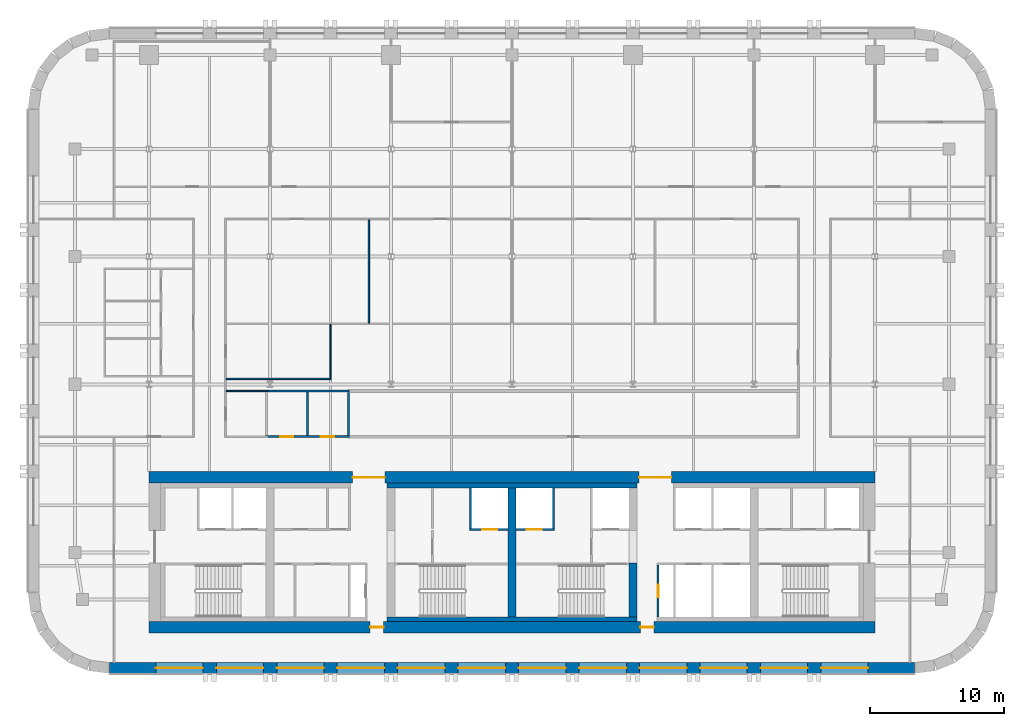
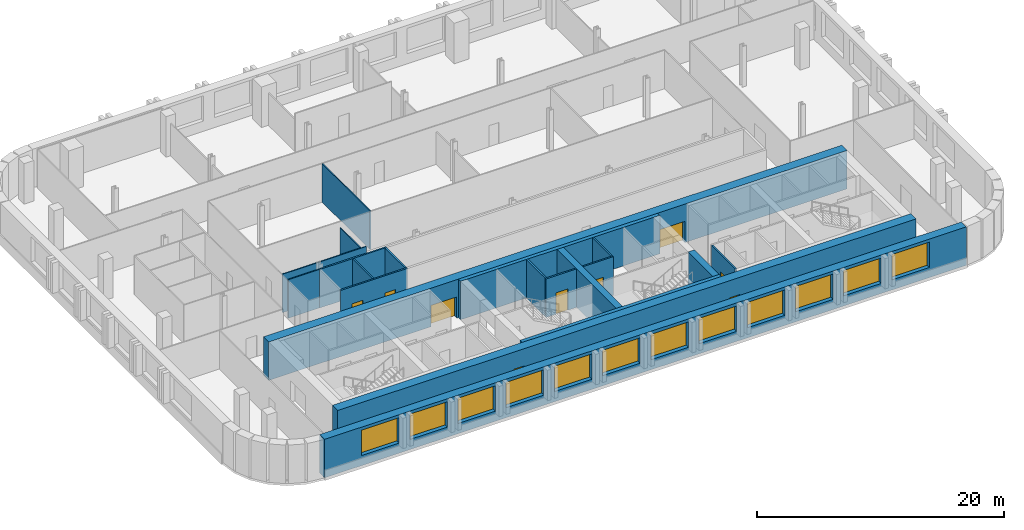
# One storey, part 4 of 9: 20 walls, 12 windows, 9 doors, 21 openings.
"""IFC4 building model written with IfcOpenShell, lengths in metres."""

from ifc_helpers import new_model, si_unit, direction, frame, frame_2d, origin, place, context, subcontext, project, spatial, rectangle, extrude, material, layer, layer_set, type_object, element, fill, save


model = new_model("IFC4")

# Units and contexts
model_context = context("Model", 3, precision=1e-05, world=origin(), true_north=direction((0.0, 1.0)))
body_context = subcontext(model_context, "Body", "Model", "MODEL_VIEW")
ifc_project = project(units=[si_unit("LENGTHUNIT", "METRE"), si_unit("AREAUNIT", "SQUARE_METRE"), si_unit("VOLUMEUNIT", "CUBIC_METRE"), si_unit("PLANEANGLEUNIT", "RADIAN"), si_unit("MASSUNIT", "GRAM", prefix="KILO")], contexts=[model_context])

# Site, building, storey
site_placement = place(None, origin())
site = spatial("IfcSite", under=ifc_project, at=site_placement, CompositionType="ELEMENT")
building_placement = place(site_placement, origin())
building = spatial("IfcBuilding", under=site, at=building_placement, Name="Zellij Exchange Tower", CompositionType="ELEMENT")
storey_placement = place(building_placement, frame((0.0, 0.0, 184.5)))
storey = spatial("IfcBuildingStorey", under=building, at=storey_placement, Name="L42", CompositionType="ELEMENT", Elevation=184.5)

# Walls
ifc_material_1 = material(Name="Concrete C60/75", Category="concrete")
ifc_layer_1 = layer(ifc_material_1, 0.60009765625)
ifc_layer_set_1 = layer_set([ifc_layer_1], Name="Concrete C60/75")
wall_type_1 = type_object("IfcWallType", Name="CORE-CW 600 C60/75", PredefinedType="SHEAR", material=ifc_layer_set_1)
wall_1_placement = place(storey_placement, frame((0.0, -12.800048828125, 0.0), z_axis=(0.0, 0.0, 1.0), x_axis=(0.0, 1.0, 0.0)))
element("IfcWall", 1, at=wall_1_placement, inside=storey, type_object=wall_type_1, Name="Core cross wall x 0 L42", PredefinedType="SHEAR", context=body_context, shape_type="SweptSolid", body=[
    extrude(rectangle(XDim=9.60009765625, YDim=0.60009765625, at=frame_2d((4.800048828125, 0.0))), origin(), (0.0, 0.0, 1.0), 3.800048828125),
])
wall_2_placement = place(storey_placement, frame((9.0, -12.800048828125, 0.0), z_axis=(0.0, 0.0, 1.0), x_axis=(0.0, 1.0, 0.0)))
element("IfcWall", 2, at=wall_2_placement, inside=storey, type_object=wall_type_1, Name="Core cross wall pier x 9 a L42", PredefinedType="SHEAR", context=body_context, shape_type="SweptSolid", body=[
    extrude(rectangle(XDim=4.0, YDim=0.60009765625, at=frame_2d((2.0, 0.0))), origin(), (0.0, 0.0, 1.0), 3.800048828125),
])
ifc_material_2 = material(Name="Concrete C30/37", Category="concrete")
ifc_layer_2 = layer(ifc_material_2, 0.35009765625)
ifc_layer_set_2 = layer_set([ifc_layer_2], Name="Concrete C30/37")
wall_type_2 = type_object("IfcWallType", Name="CORE-LW 350 C30/37", PredefinedType="SHEAR", material=ifc_layer_set_2)
for number, where, z_axis, x_axis, name in (
    (3, (-9.300048828125, -3.02490234375, 0.0), (0.0, 0.0, 1.0), (1.0, 0.0, 0.0), "Core wall lining front.1 L42"),
    (4, (-9.300048828125, -12.97509765625, 0.0), (0.0, 0.0, 1.0), (1.0, 0.0, 0.0), "Core wall lining rear.1 L42"),
):
    element("IfcWall", number, at=place(storey_placement, frame(where, z_axis=z_axis, x_axis=x_axis)), inside=storey, type_object=wall_type_2, Name=name, PredefinedType="SHEAR", context=body_context, shape_type="SweptSolid", body=[
        extrude(rectangle(XDim=18.60009765625, YDim=0.35009765625, at=frame_2d((9.300048828125, 0.0))), origin(), (0.0, 0.0, 1.0), 3.800048828125),
    ])

# Wall, opening, door
ifc_material_3 = material(Name="Gypsum board partition")
ifc_layer_3 = layer(ifc_material_3, 0.14990234375)
ifc_layer_set_3 = layer_set([ifc_layer_3], Name="Gypsum board partition")
wall_type_3 = type_object("IfcWallType", Name="CORE-PW 150 Lift lobby wall", PredefinedType="PARTITIONING", material=ifc_layer_set_3)
wall_3_placement = place(storey_placement, frame((10.875, -12.800048828125, 0.0), z_axis=(0.0, 0.0, 1.0), x_axis=(0.0, 1.0, 0.0)))
wall_3 = element("IfcWall", 5, at=wall_3_placement, inside=storey, type_object=wall_type_3, Name="Lift lobby wall L42", PredefinedType="PARTITIONING", context=body_context, shape_type="SweptSolid", body=[
    extrude(rectangle(XDim=3.85009765625, YDim=0.14990234375, at=frame_2d((1.925048828125, 0.0))), origin(), (0.0, 0.0, 1.0), 3.800048828125),
])
opening_1_placement = place(wall_3_placement, frame((1.47509765625, 0.0, 0.0)))
opening_1 = element("IfcOpeningElement", 6, at=opening_1_placement, cuts=wall_3, Name="Opening CA-23.21", PredefinedType="OPENING", context=body_context, shape_type="SweptSolid", body=[
    extrude(rectangle(XDim=0.89990234375, YDim=2.10009765625, at=frame_2d((0.449951171875, 1.050048828125))), frame((0.0, 0.0869140625, 0.0), z_axis=(0.0, -1.0, 0.0), x_axis=(1.0, 0.0, 0.0)), (0.0, 0.0, 1.0), 0.173828125),
])
ifc_material_4 = material(Name="Hollow metal fire door")
door_type_1 = type_object("IfcDoorType", Name="CORE-D RD Riser door 900x2100 1.5 HR", OperationType="NOTDEFINED", PredefinedType="DOOR", material=ifc_material_4)
door_1_placement = place(opening_1_placement, origin())
door_1 = element("IfcDoor", 7, at=door_1_placement, inside=storey, type_object=door_type_1, Name="Riser door CA-23.21", OperationType="SINGLE_SWING_LEFT", OverallHeight=2.10009765625, OverallWidth=0.89990234375, PredefinedType="DOOR", context=body_context, shape_type="SweptSolid", body=[
    extrude(rectangle(XDim=0.89990234375, YDim=2.10009765625, at=frame_2d((0.449951171875, 1.050048828125))), frame((0.0, 0.02490234375, 0.0), z_axis=(0.0, -1.0, 0.0), x_axis=(1.0, 0.0, 0.0)), (0.0, 0.0, 1.0), 0.050048828125),
])
fill(opening_1, door_1)

# Walls
ifc_material_5 = material(Name="Gypsum shaft wall system")
ifc_layer_4 = layer(ifc_material_5, 0.14990234375)
ifc_layer_set_4 = layer_set([ifc_layer_4], Name="Gypsum shaft wall system")
wall_type_4 = type_object("IfcWallType", Name="CORE-PW 150 Lift shaft wall", PredefinedType="PARTITIONING", material=ifc_layer_set_4)
for number, where, z_axis, x_axis, name in (
    (8, (-3.074951171875, -6.22509765625, 0.0), (0.0, 0.0, 1.0), (0.0, 1.0, 0.0), "Lift shaft wall L42"),
    (9, (3.074951171875, -6.22509765625, 0.0), (0.0, 0.0, 1.0), (0.0, 1.0, 0.0), "Lift shaft wall L42"),
):
    element("IfcWall", number, at=place(storey_placement, frame(where, z_axis=z_axis, x_axis=x_axis)), inside=storey, type_object=wall_type_4, Name=name, PredefinedType="PARTITIONING", context=body_context, shape_type="SweptSolid", body=[
        extrude(rectangle(XDim=3.025146484375, YDim=0.14990234375, at=frame_2d((1.5126953125, 0.0))), origin(), (0.0, 0.0, 1.0), 3.800048828125),
    ])

# Wall, opening, door
wall_4_placement = place(storey_placement, frame((-3.14990234375, -6.300048828125, 0.0), z_axis=(0.0, 0.0, 1.0), x_axis=(1.0, 0.0, 0.0)))
wall_4 = element("IfcWall", 10, at=wall_4_placement, inside=storey, type_object=wall_type_4, Name="Lift shaft wall L42", PredefinedType="PARTITIONING", context=body_context, shape_type="SweptSolid", body=[
    extrude(rectangle(XDim=2.849853515625, YDim=0.14990234375, at=frame_2d((1.4248046875, 0.0))), origin(), (0.0, 0.0, 1.0), 3.800048828125),
])
opening_2_placement = place(wall_4_placement, frame((0.949951171875, 0.0, 0.0)))
opening_2 = element("IfcOpeningElement", 11, at=opening_2_placement, cuts=wall_4, Name="Opening CA-23.14", PredefinedType="OPENING", context=body_context, shape_type="SweptSolid", body=[
    extrude(rectangle(XDim=1.10009765625, YDim=2.10009765625, at=frame_2d((0.550048828125, 1.050048828125))), frame((0.0, 0.0869140625, 0.0), z_axis=(0.0, -1.0, 0.0), x_axis=(1.0, 0.0, 0.0)), (0.0, 0.0, 1.0), 0.173828125),
])
door_type_2 = type_object("IfcDoorType", Name="CORE-D LD Lift landing door 1100x2100 1.5 HR", OperationType="NOTDEFINED", PredefinedType="DOOR", material=ifc_material_4)
door_2_placement = place(opening_2_placement, origin())
door_2 = element("IfcDoor", 12, at=door_2_placement, inside=storey, type_object=door_type_2, Name="Lift landing door CA-23.14", OperationType="SLIDING_TO_RIGHT", OverallHeight=2.10009765625, OverallWidth=1.10009765625, PredefinedType="DOOR", context=body_context, shape_type="SweptSolid", body=[
    extrude(rectangle(XDim=1.10009765625, YDim=2.10009765625, at=frame_2d((0.550048828125, 1.050048828125))), frame((0.0, 0.02490234375, 0.0), z_axis=(0.0, -1.0, 0.0), x_axis=(1.0, 0.0, 0.0)), (0.0, 0.0, 1.0), 0.050048828125),
])
fill(opening_2, door_2)

wall_5_placement = place(storey_placement, frame((0.300048828125, -6.300048828125, 0.0), z_axis=(0.0, 0.0, 1.0), x_axis=(1.0, 0.0, 0.0)))
wall_5 = element("IfcWall", 13, at=wall_5_placement, inside=storey, type_object=wall_type_4, Name="Lift shaft wall L42", PredefinedType="PARTITIONING", context=body_context, shape_type="SweptSolid", body=[
    extrude(rectangle(XDim=2.849853515625, YDim=0.14990234375, at=frame_2d((1.4248046875, 0.0))), origin(), (0.0, 0.0, 1.0), 3.800048828125),
])
opening_3_placement = place(wall_5_placement, frame((0.800048828125, 0.0, 0.0)))
opening_3 = element("IfcOpeningElement", 14, at=opening_3_placement, cuts=wall_5, Name="Opening CA-23.15", PredefinedType="OPENING", context=body_context, shape_type="SweptSolid", body=[
    extrude(rectangle(XDim=1.10009765625, YDim=2.10009765625, at=frame_2d((0.550048828125, 1.050048828125))), frame((0.0, 0.0869140625, 0.0), z_axis=(0.0, -1.0, 0.0), x_axis=(1.0, 0.0, 0.0)), (0.0, 0.0, 1.0), 0.173828125),
])
door_3_placement = place(opening_3_placement, origin())
door_3 = element("IfcDoor", 15, at=door_3_placement, inside=storey, type_object=door_type_2, Name="Lift landing door CA-23.15", OperationType="SLIDING_TO_LEFT", OverallHeight=2.10009765625, OverallWidth=1.10009765625, PredefinedType="DOOR", context=body_context, shape_type="SweptSolid", body=[
    extrude(rectangle(XDim=1.10009765625, YDim=2.10009765625, at=frame_2d((0.550048828125, 1.050048828125))), frame((0.0, 0.02490234375, 0.0), z_axis=(0.0, -1.0, 0.0), x_axis=(1.0, 0.0, 0.0)), (0.0, 0.0, 1.0), 0.050048828125),
])
fill(opening_3, door_3)

# Wall, openings, doors
ifc_layer_5 = layer(ifc_material_1, 0.85009765625)
ifc_layer_set_5 = layer_set([ifc_layer_5], Name="Concrete C60/75")
wall_type_5 = type_object("IfcWallType", Name="CORE-SW 850 C60/75", PredefinedType="SHEAR", material=ifc_layer_set_5)
wall_6_placement = place(storey_placement, frame((-27.0, -2.425048828125, 0.0), z_axis=(0.0, 0.0, 1.0), x_axis=(1.0, 0.0, 0.0)))
wall_6 = element("IfcWall", 16, at=wall_6_placement, inside=storey, type_object=wall_type_5, Name="Core shear wall front L42", PredefinedType="SHEAR", context=body_context, shape_type="SweptSolid", body=[
    extrude(rectangle(XDim=54.0, YDim=0.85009765625, at=frame_2d((27.0, 0.0))), origin(), (0.0, 0.0, 1.0), 3.800048828125),
])
opening_4_placement = place(wall_6_placement, frame((15.14990234375, 0.0, 0.0)))
opening_4 = element("IfcOpeningElement", 17, at=opening_4_placement, cuts=wall_6, Name="Opening CA-23.10", PredefinedType="OPENING", context=body_context, shape_type="SweptSolid", body=[
    extrude(rectangle(XDim=2.39990234375, YDim=2.10009765625, at=frame_2d((1.199951171875, 1.050048828125))), frame((0.0, 0.43701171875, 0.0), z_axis=(0.0, -1.0, 0.0), x_axis=(1.0, 0.0, 0.0)), (0.0, 0.0, 1.0), 0.8740234375),
])
opening_5_placement = place(wall_6_placement, frame((36.449951171875, 0.0, 0.0)))
opening_5 = element("IfcOpeningElement", 18, at=opening_5_placement, cuts=wall_6, Name="Opening CA-23.20", PredefinedType="OPENING", context=body_context, shape_type="SweptSolid", body=[
    extrude(rectangle(XDim=2.39990234375, YDim=2.10009765625, at=frame_2d((1.199951171875, 1.050048828125))), frame((0.0, 0.43701171875, 0.0), z_axis=(0.0, -1.0, 0.0), x_axis=(1.0, 0.0, 0.0)), (0.0, 0.0, 1.0), 0.8740234375),
])
door_type_3 = type_object("IfcDoorType", Name="CORE-D CE Core entrance door 2400x2100 20 MIN", OperationType="NOTDEFINED", PredefinedType="DOOR", material=ifc_material_4)
door_4_placement = place(opening_4_placement, origin())
door_4 = element("IfcDoor", 19, at=door_4_placement, inside=storey, type_object=door_type_3, Name="Core entrance door CA-23.10", OperationType="DOUBLE_DOOR_SINGLE_SWING", OverallHeight=2.10009765625, OverallWidth=2.39990234375, PredefinedType="DOOR", context=body_context, shape_type="SweptSolid", body=[
    extrude(rectangle(XDim=2.39990234375, YDim=2.10009765625, at=frame_2d((1.199951171875, 1.050048828125))), frame((0.0, 0.02490234375, 0.0), z_axis=(0.0, -1.0, 0.0), x_axis=(1.0, 0.0, 0.0)), (0.0, 0.0, 1.0), 0.050048828125),
])
fill(opening_4, door_4)
door_5_placement = place(opening_5_placement, origin())
door_5 = element("IfcDoor", 20, at=door_5_placement, inside=storey, type_object=door_type_3, Name="Core entrance door CA-23.20", OperationType="DOUBLE_DOOR_SINGLE_SWING", OverallHeight=2.10009765625, OverallWidth=2.39990234375, PredefinedType="DOOR", context=body_context, shape_type="SweptSolid", body=[
    extrude(rectangle(XDim=2.39990234375, YDim=2.10009765625, at=frame_2d((1.199951171875, 1.050048828125))), frame((0.0, 0.02490234375, 0.0), z_axis=(0.0, -1.0, 0.0), x_axis=(1.0, 0.0, 0.0)), (0.0, 0.0, 1.0), 0.050048828125),
])
fill(opening_5, door_5)

wall_7_placement = place(storey_placement, frame((-27.0, -13.574951171875, 0.0), z_axis=(0.0, 0.0, 1.0), x_axis=(1.0, 0.0, 0.0)))
wall_7 = element("IfcWall", 21, at=wall_7_placement, inside=storey, type_object=wall_type_5, Name="Core shear wall rear L42", PredefinedType="SHEAR", context=body_context, shape_type="SweptSolid", body=[
    extrude(rectangle(XDim=54.0, YDim=0.85009765625, at=frame_2d((27.0, 0.0))), origin(), (0.0, 0.0, 1.0), 3.800048828125),
])
opening_6_placement = place(wall_7_placement, frame((16.449951171875, 0.0, 0.0)))
opening_6 = element("IfcOpeningElement", 22, at=opening_6_placement, cuts=wall_7, Name="Opening CA-23.11", PredefinedType="OPENING", context=body_context, shape_type="SweptSolid", body=[
    extrude(rectangle(XDim=1.0, YDim=2.10009765625, at=frame_2d((0.5, 1.050048828125))), frame((0.0, 0.43701171875, 0.0), z_axis=(0.0, -1.0, 0.0), x_axis=(1.0, 0.0, 0.0)), (0.0, 0.0, 1.0), 0.8740234375),
])
opening_7_placement = place(wall_7_placement, frame((36.550048828125, 0.0, 0.0)))
opening_7 = element("IfcOpeningElement", 23, at=opening_7_placement, cuts=wall_7, Name="Opening CA-23.19", PredefinedType="OPENING", context=body_context, shape_type="SweptSolid", body=[
    extrude(rectangle(XDim=1.0, YDim=2.10009765625, at=frame_2d((0.5, 1.050048828125))), frame((0.0, 0.43701171875, 0.0), z_axis=(0.0, -1.0, 0.0), x_axis=(1.0, 0.0, 0.0)), (0.0, 0.0, 1.0), 0.8740234375),
])
door_type_4 = type_object("IfcDoorType", Name="CORE-D CR Core rear door 1000x2100 20 MIN", OperationType="NOTDEFINED", PredefinedType="DOOR", material=ifc_material_4)
door_6_placement = place(opening_6_placement, origin())
door_6 = element("IfcDoor", 24, at=door_6_placement, inside=storey, type_object=door_type_4, Name="Core rear door CA-23.11", OperationType="SINGLE_SWING_RIGHT", OverallHeight=2.10009765625, OverallWidth=1.0, PredefinedType="DOOR", context=body_context, shape_type="SweptSolid", body=[
    extrude(rectangle(XDim=1.0, YDim=2.10009765625, at=frame_2d((0.5, 1.050048828125))), frame((0.0, 0.02490234375, 0.0), z_axis=(0.0, -1.0, 0.0), x_axis=(1.0, 0.0, 0.0)), (0.0, 0.0, 1.0), 0.050048828125),
])
fill(opening_6, door_6)
door_7_placement = place(opening_7_placement, origin())
door_7 = element("IfcDoor", 25, at=door_7_placement, inside=storey, type_object=door_type_4, Name="Core rear door CA-23.19", OperationType="SINGLE_SWING_LEFT", OverallHeight=2.10009765625, OverallWidth=1.0, PredefinedType="DOOR", context=body_context, shape_type="SweptSolid", body=[
    extrude(rectangle(XDim=1.0, YDim=2.10009765625, at=frame_2d((0.5, 1.050048828125))), frame((0.0, 0.02490234375, 0.0), z_axis=(0.0, -1.0, 0.0), x_axis=(1.0, 0.0, 0.0)), (0.0, 0.0, 1.0), 0.050048828125),
])
fill(opening_7, door_7)

# Wall, openings, windows
ifc_material_6 = material(Name="Precast concrete C40/50", Category="concrete")
ifc_layer_6 = layer(ifc_material_6, 0.800048828125)
ifc_layer_set_6 = layer_set([ifc_layer_6], Name="Precast concrete C40/50")
wall_type_6 = type_object("IfcWallType", Name="ENV-EW1 Precast stone-piered wall 800", PredefinedType="SOLIDWALL", material=ifc_layer_set_6)
wall_8_placement = place(storey_placement, frame((-29.947509765625, -16.60009765625, 0.0), z_axis=(0.0, 0.0, 1.0), x_axis=(1.0, 0.0, 0.0)))
wall_8 = element("IfcWall", 26, at=wall_8_placement, inside=storey, type_object=wall_type_6, Name="fac.L42.00", PredefinedType="SOLIDWALL", context=body_context, shape_type="SweptSolid", body=[
    extrude(rectangle(XDim=59.89501953125, YDim=0.800048828125, at=frame_2d((29.947509765625, 0.0))), origin(), (0.0, 0.0, 1.0), 3.800048828125),
])
opening_8_placement = place(wall_8_placement, frame((3.447509765625, 0.0, 1.0)))
opening_8 = element("IfcOpeningElement", 27, at=opening_8_placement, cuts=wall_8, Name="Opening FZ3.01", PredefinedType="OPENING", context=body_context, shape_type="SweptSolid", body=[
    extrude(rectangle(XDim=3.5, YDim=2.5, at=frame_2d((1.75, 1.25))), frame((0.0, 0.412109375, 0.0), z_axis=(0.0, -1.0, 0.0), x_axis=(1.0, 0.0, 0.0)), (0.0, 0.0, 1.0), 0.823974609375),
])
opening_9_placement = place(wall_8_placement, frame((7.947509765625, 0.0, 1.0)))
opening_9 = element("IfcOpeningElement", 28, at=opening_9_placement, cuts=wall_8, Name="Opening FZ3.02", PredefinedType="OPENING", context=body_context, shape_type="SweptSolid", body=[
    extrude(rectangle(XDim=3.5, YDim=2.5, at=frame_2d((1.75, 1.25))), frame((0.0, 0.412109375, 0.0), z_axis=(0.0, -1.0, 0.0), x_axis=(1.0, 0.0, 0.0)), (0.0, 0.0, 1.0), 0.823974609375),
])
opening_10_placement = place(wall_8_placement, frame((12.447509765625, 0.0, 1.0)))
opening_10 = element("IfcOpeningElement", 29, at=opening_10_placement, cuts=wall_8, Name="Opening FZ3.03", PredefinedType="OPENING", context=body_context, shape_type="SweptSolid", body=[
    extrude(rectangle(XDim=3.5, YDim=2.5, at=frame_2d((1.75, 1.25))), frame((0.0, 0.412109375, 0.0), z_axis=(0.0, -1.0, 0.0), x_axis=(1.0, 0.0, 0.0)), (0.0, 0.0, 1.0), 0.823974609375),
])
opening_11_placement = place(wall_8_placement, frame((16.947509765625, 0.0, 1.0)))
opening_11 = element("IfcOpeningElement", 30, at=opening_11_placement, cuts=wall_8, Name="Opening FZ3.04", PredefinedType="OPENING", context=body_context, shape_type="SweptSolid", body=[
    extrude(rectangle(XDim=3.5, YDim=2.5, at=frame_2d((1.75, 1.25))), frame((0.0, 0.412109375, 0.0), z_axis=(0.0, -1.0, 0.0), x_axis=(1.0, 0.0, 0.0)), (0.0, 0.0, 1.0), 0.823974609375),
])
opening_12_placement = place(wall_8_placement, frame((21.447509765625, 0.0, 1.0)))
opening_12 = element("IfcOpeningElement", 31, at=opening_12_placement, cuts=wall_8, Name="Opening FZ3.05", PredefinedType="OPENING", context=body_context, shape_type="SweptSolid", body=[
    extrude(rectangle(XDim=3.5, YDim=2.5, at=frame_2d((1.75, 1.25))), frame((0.0, 0.412109375, 0.0), z_axis=(0.0, -1.0, 0.0), x_axis=(1.0, 0.0, 0.0)), (0.0, 0.0, 1.0), 0.823974609375),
])
opening_13_placement = place(wall_8_placement, frame((25.947509765625, 0.0, 1.0)))
opening_13 = element("IfcOpeningElement", 32, at=opening_13_placement, cuts=wall_8, Name="Opening FZ3.06", PredefinedType="OPENING", context=body_context, shape_type="SweptSolid", body=[
    extrude(rectangle(XDim=3.5, YDim=2.5, at=frame_2d((1.75, 1.25))), frame((0.0, 0.412109375, 0.0), z_axis=(0.0, -1.0, 0.0), x_axis=(1.0, 0.0, 0.0)), (0.0, 0.0, 1.0), 0.823974609375),
])
opening_14_placement = place(wall_8_placement, frame((30.447509765625, 0.0, 1.0)))
opening_14 = element("IfcOpeningElement", 33, at=opening_14_placement, cuts=wall_8, Name="Opening FZ3.07", PredefinedType="OPENING", context=body_context, shape_type="SweptSolid", body=[
    extrude(rectangle(XDim=3.5, YDim=2.5, at=frame_2d((1.75, 1.25))), frame((0.0, 0.412109375, 0.0), z_axis=(0.0, -1.0, 0.0), x_axis=(1.0, 0.0, 0.0)), (0.0, 0.0, 1.0), 0.823974609375),
])
opening_15_placement = place(wall_8_placement, frame((34.947509765625, 0.0, 1.0)))
opening_15 = element("IfcOpeningElement", 34, at=opening_15_placement, cuts=wall_8, Name="Opening FZ3.08", PredefinedType="OPENING", context=body_context, shape_type="SweptSolid", body=[
    extrude(rectangle(XDim=3.5, YDim=2.5, at=frame_2d((1.75, 1.25))), frame((0.0, 0.412109375, 0.0), z_axis=(0.0, -1.0, 0.0), x_axis=(1.0, 0.0, 0.0)), (0.0, 0.0, 1.0), 0.823974609375),
])
opening_16_placement = place(wall_8_placement, frame((39.447509765625, 0.0, 1.0)))
opening_16 = element("IfcOpeningElement", 35, at=opening_16_placement, cuts=wall_8, Name="Opening FZ3.09", PredefinedType="OPENING", context=body_context, shape_type="SweptSolid", body=[
    extrude(rectangle(XDim=3.5, YDim=2.5, at=frame_2d((1.75, 1.25))), frame((0.0, 0.412109375, 0.0), z_axis=(0.0, -1.0, 0.0), x_axis=(1.0, 0.0, 0.0)), (0.0, 0.0, 1.0), 0.823974609375),
])
opening_17_placement = place(wall_8_placement, frame((43.947509765625, 0.0, 1.0)))
opening_17 = element("IfcOpeningElement", 36, at=opening_17_placement, cuts=wall_8, Name="Opening FZ3.10", PredefinedType="OPENING", context=body_context, shape_type="SweptSolid", body=[
    extrude(rectangle(XDim=3.5, YDim=2.5, at=frame_2d((1.75, 1.25))), frame((0.0, 0.412109375, 0.0), z_axis=(0.0, -1.0, 0.0), x_axis=(1.0, 0.0, 0.0)), (0.0, 0.0, 1.0), 0.823974609375),
])
opening_18_placement = place(wall_8_placement, frame((48.447509765625, 0.0, 1.0)))
opening_18 = element("IfcOpeningElement", 37, at=opening_18_placement, cuts=wall_8, Name="Opening FZ3.11", PredefinedType="OPENING", context=body_context, shape_type="SweptSolid", body=[
    extrude(rectangle(XDim=3.5, YDim=2.5, at=frame_2d((1.75, 1.25))), frame((0.0, 0.412109375, 0.0), z_axis=(0.0, -1.0, 0.0), x_axis=(1.0, 0.0, 0.0)), (0.0, 0.0, 1.0), 0.823974609375),
])
opening_19_placement = place(wall_8_placement, frame((52.947509765625, 0.0, 1.0)))
opening_19 = element("IfcOpeningElement", 38, at=opening_19_placement, cuts=wall_8, Name="Opening FZ3.12", PredefinedType="OPENING", context=body_context, shape_type="SweptSolid", body=[
    extrude(rectangle(XDim=3.5, YDim=2.5, at=frame_2d((1.75, 1.25))), frame((0.0, 0.412109375, 0.0), z_axis=(0.0, -1.0, 0.0), x_axis=(1.0, 0.0, 0.0)), (0.0, 0.0, 1.0), 0.823974609375),
])
ifc_material_7 = material(Name="Aluminium frame with insulating glass", Category="aluminium")
window_type = type_object("IfcWindowType", Name="ENV-W1 Window 3500x2500", PartitioningType="SINGLE_PANEL", PredefinedType="WINDOW", material=ifc_material_7)
window_1_placement = place(opening_8_placement, origin())
window_1 = element("IfcWindow", 39, at=window_1_placement, inside=storey, type_object=window_type, Name="Window FZ3.01", OverallHeight=2.5, OverallWidth=3.5, PartitioningType="SINGLE_PANEL", PredefinedType="WINDOW", context=body_context, shape_type="SweptSolid", body=[
    extrude(rectangle(XDim=3.5, YDim=2.5, at=frame_2d((1.75, 1.25))), frame((0.0, 0.030029296875, 0.0), z_axis=(0.0, -1.0, 0.0), x_axis=(1.0, 0.0, 0.0)), (0.0, 0.0, 1.0), 0.06005859375),
])
fill(opening_8, window_1)
window_2_placement = place(opening_9_placement, origin())
window_2 = element("IfcWindow", 40, at=window_2_placement, inside=storey, type_object=window_type, Name="Window FZ3.02", OverallHeight=2.5, OverallWidth=3.5, PartitioningType="SINGLE_PANEL", PredefinedType="WINDOW", context=body_context, shape_type="SweptSolid", body=[
    extrude(rectangle(XDim=3.5, YDim=2.5, at=frame_2d((1.75, 1.25))), frame((0.0, 0.030029296875, 0.0), z_axis=(0.0, -1.0, 0.0), x_axis=(1.0, 0.0, 0.0)), (0.0, 0.0, 1.0), 0.06005859375),
])
fill(opening_9, window_2)
window_3_placement = place(opening_10_placement, origin())
window_3 = element("IfcWindow", 41, at=window_3_placement, inside=storey, type_object=window_type, Name="Window FZ3.03", OverallHeight=2.5, OverallWidth=3.5, PartitioningType="SINGLE_PANEL", PredefinedType="WINDOW", context=body_context, shape_type="SweptSolid", body=[
    extrude(rectangle(XDim=3.5, YDim=2.5, at=frame_2d((1.75, 1.25))), frame((0.0, 0.030029296875, 0.0), z_axis=(0.0, -1.0, 0.0), x_axis=(1.0, 0.0, 0.0)), (0.0, 0.0, 1.0), 0.06005859375),
])
fill(opening_10, window_3)
window_4_placement = place(opening_11_placement, origin())
window_4 = element("IfcWindow", 42, at=window_4_placement, inside=storey, type_object=window_type, Name="Window FZ3.04", OverallHeight=2.5, OverallWidth=3.5, PartitioningType="SINGLE_PANEL", PredefinedType="WINDOW", context=body_context, shape_type="SweptSolid", body=[
    extrude(rectangle(XDim=3.5, YDim=2.5, at=frame_2d((1.75, 1.25))), frame((0.0, 0.030029296875, 0.0), z_axis=(0.0, -1.0, 0.0), x_axis=(1.0, 0.0, 0.0)), (0.0, 0.0, 1.0), 0.06005859375),
])
fill(opening_11, window_4)
window_5_placement = place(opening_12_placement, origin())
window_5 = element("IfcWindow", 43, at=window_5_placement, inside=storey, type_object=window_type, Name="Window FZ3.05", OverallHeight=2.5, OverallWidth=3.5, PartitioningType="SINGLE_PANEL", PredefinedType="WINDOW", context=body_context, shape_type="SweptSolid", body=[
    extrude(rectangle(XDim=3.5, YDim=2.5, at=frame_2d((1.75, 1.25))), frame((0.0, 0.030029296875, 0.0), z_axis=(0.0, -1.0, 0.0), x_axis=(1.0, 0.0, 0.0)), (0.0, 0.0, 1.0), 0.06005859375),
])
fill(opening_12, window_5)
window_6_placement = place(opening_13_placement, origin())
window_6 = element("IfcWindow", 44, at=window_6_placement, inside=storey, type_object=window_type, Name="Window FZ3.06", OverallHeight=2.5, OverallWidth=3.5, PartitioningType="SINGLE_PANEL", PredefinedType="WINDOW", context=body_context, shape_type="SweptSolid", body=[
    extrude(rectangle(XDim=3.5, YDim=2.5, at=frame_2d((1.75, 1.25))), frame((0.0, 0.030029296875, 0.0), z_axis=(0.0, -1.0, 0.0), x_axis=(1.0, 0.0, 0.0)), (0.0, 0.0, 1.0), 0.06005859375),
])
fill(opening_13, window_6)
window_7_placement = place(opening_14_placement, origin())
window_7 = element("IfcWindow", 45, at=window_7_placement, inside=storey, type_object=window_type, Name="Window FZ3.07", OverallHeight=2.5, OverallWidth=3.5, PartitioningType="SINGLE_PANEL", PredefinedType="WINDOW", context=body_context, shape_type="SweptSolid", body=[
    extrude(rectangle(XDim=3.5, YDim=2.5, at=frame_2d((1.75, 1.25))), frame((0.0, 0.030029296875, 0.0), z_axis=(0.0, -1.0, 0.0), x_axis=(1.0, 0.0, 0.0)), (0.0, 0.0, 1.0), 0.06005859375),
])
fill(opening_14, window_7)
window_8_placement = place(opening_15_placement, origin())
window_8 = element("IfcWindow", 46, at=window_8_placement, inside=storey, type_object=window_type, Name="Window FZ3.08", OverallHeight=2.5, OverallWidth=3.5, PartitioningType="SINGLE_PANEL", PredefinedType="WINDOW", context=body_context, shape_type="SweptSolid", body=[
    extrude(rectangle(XDim=3.5, YDim=2.5, at=frame_2d((1.75, 1.25))), frame((0.0, 0.030029296875, 0.0), z_axis=(0.0, -1.0, 0.0), x_axis=(1.0, 0.0, 0.0)), (0.0, 0.0, 1.0), 0.06005859375),
])
fill(opening_15, window_8)
window_9_placement = place(opening_16_placement, origin())
window_9 = element("IfcWindow", 47, at=window_9_placement, inside=storey, type_object=window_type, Name="Window FZ3.09", OverallHeight=2.5, OverallWidth=3.5, PartitioningType="SINGLE_PANEL", PredefinedType="WINDOW", context=body_context, shape_type="SweptSolid", body=[
    extrude(rectangle(XDim=3.5, YDim=2.5, at=frame_2d((1.75, 1.25))), frame((0.0, 0.030029296875, 0.0), z_axis=(0.0, -1.0, 0.0), x_axis=(1.0, 0.0, 0.0)), (0.0, 0.0, 1.0), 0.06005859375),
])
fill(opening_16, window_9)
window_10_placement = place(opening_17_placement, origin())
window_10 = element("IfcWindow", 48, at=window_10_placement, inside=storey, type_object=window_type, Name="Window FZ3.10", OverallHeight=2.5, OverallWidth=3.5, PartitioningType="SINGLE_PANEL", PredefinedType="WINDOW", context=body_context, shape_type="SweptSolid", body=[
    extrude(rectangle(XDim=3.5, YDim=2.5, at=frame_2d((1.75, 1.25))), frame((0.0, 0.030029296875, 0.0), z_axis=(0.0, -1.0, 0.0), x_axis=(1.0, 0.0, 0.0)), (0.0, 0.0, 1.0), 0.06005859375),
])
fill(opening_17, window_10)
window_11_placement = place(opening_18_placement, origin())
window_11 = element("IfcWindow", 49, at=window_11_placement, inside=storey, type_object=window_type, Name="Window FZ3.11", OverallHeight=2.5, OverallWidth=3.5, PartitioningType="SINGLE_PANEL", PredefinedType="WINDOW", context=body_context, shape_type="SweptSolid", body=[
    extrude(rectangle(XDim=3.5, YDim=2.5, at=frame_2d((1.75, 1.25))), frame((0.0, 0.030029296875, 0.0), z_axis=(0.0, -1.0, 0.0), x_axis=(1.0, 0.0, 0.0)), (0.0, 0.0, 1.0), 0.06005859375),
])
fill(opening_18, window_11)
window_12_placement = place(opening_19_placement, origin())
window_12 = element("IfcWindow", 50, at=window_12_placement, inside=storey, type_object=window_type, Name="Window FZ3.12", OverallHeight=2.5, OverallWidth=3.5, PartitioningType="SINGLE_PANEL", PredefinedType="WINDOW", context=body_context, shape_type="SweptSolid", body=[
    extrude(rectangle(XDim=3.5, YDim=2.5, at=frame_2d((1.75, 1.25))), frame((0.0, 0.030029296875, 0.0), z_axis=(0.0, -1.0, 0.0), x_axis=(1.0, 0.0, 0.0)), (0.0, 0.0, 1.0), 0.06005859375),
])
fill(opening_19, window_12)

# Walls
ifc_material_8 = material(Name="Gypsum board partition on steel studs", Category="steel")
ifc_layer_7 = layer(ifc_material_8, 0.10009765625)
ifc_layer_set_7 = layer_set([ifc_layer_7], Name="Gypsum board partition on steel studs")
wall_type_7 = type_object("IfcWallType", Name="FIT-PARTITION-100", PredefinedType="PARTITIONING", material=ifc_layer_set_7)
wall_9_placement = place(storey_placement, frame((-21.25, 4.0, 0.0), z_axis=(0.0, 0.0, 1.0), x_axis=(1.0, 0.0, 0.0)))
element("IfcWall", 51, at=wall_9_placement, inside=storey, type_object=wall_type_7, Name="FIT-PARTITION-100 015", PredefinedType="PARTITIONING", context=body_context, shape_type="SweptSolid", body=[
    extrude(rectangle(XDim=3.06494140625, YDim=0.10009765625, at=frame_2d((1.532470703125, 0.0))), origin(), (0.0, 0.0, 1.0), 3.800048828125),
])
wall_10_placement = place(storey_placement, frame((-21.25, 4.89990234375, 0.0), z_axis=(0.0, 0.0, 1.0), x_axis=(1.0, 0.0, 0.0)))
element("IfcWall", 52, at=wall_10_placement, inside=storey, type_object=wall_type_7, Name="FIT-PARTITION-100 019", PredefinedType="PARTITIONING", context=body_context, shape_type="SweptSolid", body=[
    extrude(rectangle(XDim=7.800048828125, YDim=0.10009765625, at=frame_2d((3.89990234375, 0.0))), origin(), (0.0, 0.0, 1.0), 3.800048828125),
])
wall_11_placement = place(storey_placement, frame((-13.5, 4.949951171875, 0.0), z_axis=(0.0, 0.0, 1.0), x_axis=(0.0, 1.0, 0.0)))
element("IfcWall", 53, at=wall_11_placement, inside=storey, type_object=wall_type_7, Name="FIT-PARTITION-100 020", PredefinedType="PARTITIONING", context=body_context, shape_type="SweptSolid", body=[
    extrude(rectangle(XDim=4.0, YDim=0.10009765625, at=frame_2d((2.0, 0.0))), origin(), (0.0, 0.0, 1.0), 3.200439453125),
])
wall_12_placement = place(storey_placement, frame((-10.64990234375, 9.050048828125, 0.0), z_axis=(0.0, 0.0, 1.0), x_axis=(0.0, 1.0, 0.0)))
element("IfcWall", 54, at=wall_12_placement, inside=storey, type_object=wall_type_7, Name="FIT-PARTITION-100 026", PredefinedType="PARTITIONING", context=body_context, shape_type="SweptSolid", body=[
    extrude(rectangle(XDim=7.699951171875, YDim=0.10009765625, at=frame_2d((3.85009765625, 0.0))), origin(), (0.0, 0.0, 1.0), 3.800048828125),
])

# Wall, openings, doors
ifc_material_9 = material(Name="Gypsum board shaft-wall partition", Category="gypsum")
ifc_layer_8 = layer(ifc_material_9, 0.14990234375)
ifc_layer_set_8 = layer_set([ifc_layer_8], Name="Gypsum board shaft-wall partition")
wall_type_8 = type_object("IfcWallType", Name="FIT-PARTITION-150-EI60", PredefinedType="PARTITIONING", material=ifc_layer_set_8)
wall_13_placement = place(storey_placement, frame((-18.3349609375, 0.60009765625, 0.0), z_axis=(0.0, 0.0, 1.0), x_axis=(1.0, 0.0, 0.0)))
wall_13 = element("IfcWall", 55, at=wall_13_placement, inside=storey, type_object=wall_type_8, Name="FIT-PARTITION-150-EI60 007", PredefinedType="PARTITIONING", context=body_context, shape_type="SweptSolid", body=[
    extrude(rectangle(XDim=6.239990234375, YDim=0.14990234375, at=frame_2d((3.1201171875, 0.0))), origin(), (0.0, 0.0, 1.0), 3.800048828125),
])
opening_20_placement = place(wall_13_placement, frame((1.077880859375, 0.0, 0.0)))
opening_20 = element("IfcOpeningElement", 56, at=opening_20_placement, cuts=wall_13, Name="Opening O3B.04", PredefinedType="OPENING", context=body_context, shape_type="SweptSolid", body=[
    extrude(rectangle(XDim=1.0, YDim=2.10009765625, at=frame_2d((0.5, 1.050048828125))), frame((0.0, 0.0869140625, 0.0), z_axis=(0.0, -1.0, 0.0), x_axis=(1.0, 0.0, 0.0)), (0.0, 0.0, 1.0), 0.173828125),
])
opening_21_placement = place(wall_13_placement, frame((4.12109375, 0.0, 0.0)))
opening_21 = element("IfcOpeningElement", 57, at=opening_21_placement, cuts=wall_13, Name="Opening O3B.05", PredefinedType="OPENING", context=body_context, shape_type="SweptSolid", body=[
    extrude(rectangle(XDim=1.0, YDim=2.10009765625, at=frame_2d((0.5, 1.050048828125))), frame((0.0, 0.0869140625, 0.0), z_axis=(0.0, -1.0, 0.0), x_axis=(1.0, 0.0, 0.0)), (0.0, 0.0, 1.0), 0.173828125),
])
ifc_material_10 = material(Name="Steel fire door set", Category="steel")
door_type_5 = type_object("IfcDoorType", Name="FIT-D4-FIRE-1000X2100", OperationType="SINGLE_SWING_LEFT", PredefinedType="DOOR", material=ifc_material_10)
door_8_placement = place(opening_20_placement, origin())
door_8 = element("IfcDoor", 58, at=door_8_placement, inside=storey, type_object=door_type_5, Name="Door O3B.04", OperationType="SINGLE_SWING_LEFT", OverallHeight=2.10009765625, OverallWidth=1.0, PredefinedType="DOOR", context=body_context, shape_type="SweptSolid", body=[
    extrude(rectangle(XDim=1.0, YDim=2.10009765625, at=frame_2d((0.5, 1.050048828125))), frame((0.0, 0.02490234375, 0.0), z_axis=(0.0, -1.0, 0.0), x_axis=(1.0, 0.0, 0.0)), (0.0, 0.0, 1.0), 0.050048828125),
])
fill(opening_20, door_8)
door_9_placement = place(opening_21_placement, origin())
door_9 = element("IfcDoor", 59, at=door_9_placement, inside=storey, type_object=door_type_5, Name="Door O3B.05", OperationType="SINGLE_SWING_LEFT", OverallHeight=2.10009765625, OverallWidth=1.0, PredefinedType="DOOR", context=body_context, shape_type="SweptSolid", body=[
    extrude(rectangle(XDim=1.0, YDim=2.10009765625, at=frame_2d((0.5, 1.050048828125))), frame((0.0, 0.02490234375, 0.0), z_axis=(0.0, -1.0, 0.0), x_axis=(1.0, 0.0, 0.0)), (0.0, 0.0, 1.0), 0.050048828125),
])
fill(opening_21, door_9)

# Walls
wall_14_placement = place(storey_placement, frame((-15.2099609375, 0.675048828125, 0.0), z_axis=(0.0, 0.0, 1.0), x_axis=(0.0, 1.0, 0.0)))
element("IfcWall", 60, at=wall_14_placement, inside=storey, type_object=wall_type_8, Name="FIT-PARTITION-150-EI60 009", PredefinedType="PARTITIONING", context=body_context, shape_type="SweptSolid", body=[
    extrude(rectangle(XDim=3.25, YDim=0.14990234375, at=frame_2d((1.625, 0.0))), origin(), (0.0, 0.0, 1.0), 3.800048828125),
])
wall_15_placement = place(storey_placement, frame((-12.169921875, 0.699951171875, 0.0), z_axis=(0.0, 0.0, 1.0), x_axis=(0.0, 1.0, 0.0)))
element("IfcWall", 61, at=wall_15_placement, inside=storey, type_object=wall_type_8, Name="FIT-PARTITION-150-EI60 011", PredefinedType="PARTITIONING", context=body_context, shape_type="SweptSolid", body=[
    extrude(rectangle(XDim=3.199951171875, YDim=0.14990234375, at=frame_2d((1.60009765625, 0.0))), origin(), (0.0, 0.0, 1.0), 3.800048828125),
])
wall_16_placement = place(storey_placement, frame((-18.3349609375, 4.0, 0.0), z_axis=(0.0, 0.0, 1.0), x_axis=(1.0, 0.0, 0.0)))
element("IfcWall", 62, at=wall_16_placement, inside=storey, type_object=wall_type_8, Name="FIT-PARTITION-150-EI60 016", PredefinedType="PARTITIONING", context=body_context, shape_type="SweptSolid", body=[
    extrude(rectangle(XDim=6.239990234375, YDim=0.14990234375, at=frame_2d((3.1201171875, 0.0))), origin(), (0.0, 0.0, 1.0), 3.800048828125),
])

save(model, "model.ifc")
